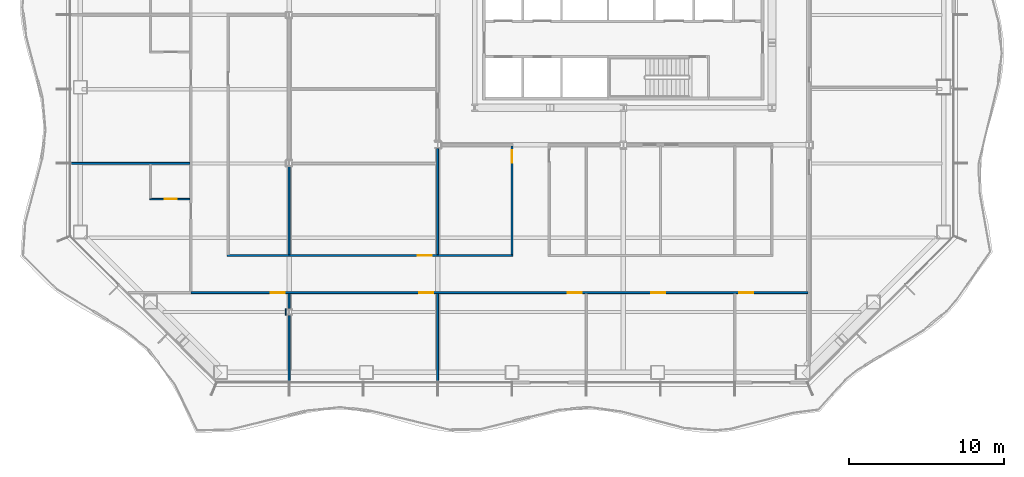
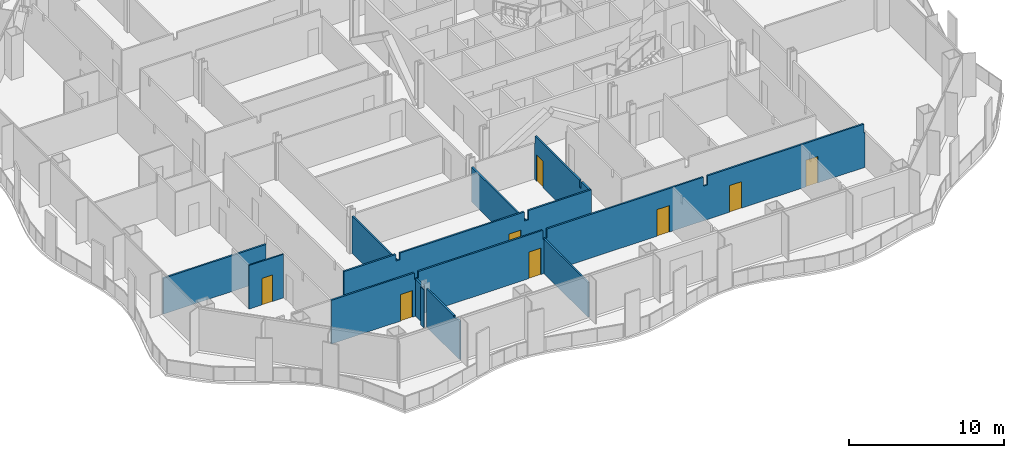
# One storey, part 6 of 17: 11 walls, 8 doors, 8 openings.
"""IFC4 building model written with IfcOpenShell, lengths in metres."""

from ifc_helpers import new_model, si_unit, direction, frame, frame_2d, origin, place, context, subcontext, project, spatial, polyline, rectangle, outline, extrude, material, layer, layer_set, type_object, element, fill, save


model = new_model("IFC4")

# Units and contexts
model_context = context("Model", 3, precision=1e-05, world=origin(), true_north=direction((0.0, 1.0)))
body_context = subcontext(model_context, "Body", "Model", "MODEL_VIEW")
ifc_project = project(units=[si_unit("LENGTHUNIT", "METRE"), si_unit("AREAUNIT", "SQUARE_METRE"), si_unit("VOLUMEUNIT", "CUBIC_METRE"), si_unit("PLANEANGLEUNIT", "RADIAN"), si_unit("MASSUNIT", "GRAM", prefix="KILO")], contexts=[model_context])

# Site, building, storey
site_placement = place(None, origin())
site = spatial("IfcSite", under=ifc_project, at=site_placement, CompositionType="ELEMENT")
building_placement = place(site_placement, origin())
building = spatial("IfcBuilding", under=site, at=building_placement, Name="Cairn Pilgrim Tower", CompositionType="ELEMENT")
storey_placement = place(building_placement, frame((0.0, 0.0, 79.800048828125)))
storey = spatial("IfcBuildingStorey", under=building, at=storey_placement, Name="L18", CompositionType="ELEMENT", Elevation=79.800048828125)

# Wall, opening, door
ifc_material_1 = material(Name="Gypsum partition")
ifc_layer_1 = layer(ifc_material_1, 0.10009765625)
ifc_layer_set_1 = layer_set([ifc_layer_1], Name="PARTITION 100 DRYWALL")
wall_type_1 = type_object("IfcWallType", Name="PARTITION 100 DRYWALL", PredefinedType="PARTITIONING", material=ifc_layer_set_1)
wall_1_placement = place(storey_placement, frame((-23.39990234375, -11.89990234375, 0.0), z_axis=(0.0, 0.0, 1.0), x_axis=(1.0, 0.0, 0.0)))
wall_1 = element("IfcWall", 1, at=wall_1_placement, inside=storey, type_object=wall_type_1, Name="PARTITION W022", PredefinedType="PARTITIONING", context=body_context, shape_type="SweptSolid", body=[
    extrude(rectangle(XDim=2.58740234375, YDim=0.10009765625, at=frame_2d((1.293701171875, 0.0))), origin(), (0.0, 0.0, 1.0), 3.449951171875),
])
opening_1_placement = place(wall_1_placement, frame((0.949951171875, 0.0, 0.0)))
opening_1 = element("IfcOpeningElement", 2, at=opening_1_placement, cuts=wall_1, Name="Opening 1806E", PredefinedType="OPENING", context=body_context, shape_type="SweptSolid", body=[
    extrude(rectangle(XDim=0.800048828125, YDim=2.10009765625, at=frame_2d((0.39990234375, 1.050048828125))), frame((0.0, 0.06005859375, 0.0), z_axis=(0.0, -1.0, 0.0), x_axis=(1.0, 0.0, 0.0)), (0.0, 0.0, 1.0), 0.1201171875),
])
ifc_material_2 = material(Name="Timber door leaf", Category="wood")
door_type_1 = type_object("IfcDoorType", Name="DOOR 800x2100", OperationType="NOTDEFINED", PredefinedType="DOOR", material=ifc_material_2)
door_1_placement = place(opening_1_placement, origin())
door_1 = element("IfcDoor", 3, at=door_1_placement, inside=storey, type_object=door_type_1, Name="DOOR 1806E", OperationType="SINGLE_SWING_RIGHT", OverallHeight=2.10009765625, OverallWidth=0.800048828125, PredefinedType="DOOR", context=body_context, shape_type="SweptSolid", body=[
    extrude(rectangle(XDim=0.800048828125, YDim=2.10009765625, at=frame_2d((0.39990234375, 1.050048828125))), frame((0.0, 0.02490234375, 0.0), z_axis=(0.0, -1.0, 0.0), x_axis=(1.0, 0.0, 0.0)), (0.0, 0.0, 1.0), 0.050048828125),
])
fill(opening_1, door_1)

# Walls
ifc_layer_2 = layer(ifc_material_1, 0.125)
ifc_layer_set_2 = layer_set([ifc_layer_2], Name="PARTITION 125 DRYWALL EI 60")
wall_type_2 = type_object("IfcWallType", Name="PARTITION 125 DRYWALL EI 60", PredefinedType="PARTITIONING", material=ifc_layer_set_2)
wall_2_placement = place(storey_placement, frame((-14.39990234375, -23.68994140625, 0.0), z_axis=(0.0, 0.0, 1.0), x_axis=(0.0, 1.0, 0.0)))
element("IfcWall", 4, at=wall_2_placement, inside=storey, type_object=wall_type_2, Name="PARTITION W001", PredefinedType="PARTITIONING", context=body_context, shape_type="SweptSolid", body=[
    extrude(outline(polyline([(0.0, 0.0), (4.27734375, 0.0), (4.277587890625, 3.030029296875), (0.739990234375, 3.030029296875), (0.738037109375, 2.929931640625), (0.43994140625, 2.929931640625), (0.43798828125, 3.030029296875), (0.0, 3.030029296875), (0.0, 0.0)])), frame((0.0, 0.0625, 0.0), z_axis=(0.0, -1.0, 0.0), x_axis=(1.0, 0.0, 0.0)), (0.0, 0.0, 1.0), 0.125),
])
wall_3_placement = place(storey_placement, frame((-4.800048828125, -23.68994140625, 0.0), z_axis=(0.0, 0.0, 1.0), x_axis=(0.0, 1.0, 0.0)))
element("IfcWall", 5, at=wall_3_placement, inside=storey, type_object=wall_type_2, Name="PARTITION W002", PredefinedType="PARTITIONING", context=body_context, shape_type="SweptSolid", body=[
    extrude(rectangle(XDim=5.677490234375, YDim=0.125, at=frame_2d((2.8388671875, 0.0))), origin(), (0.0, 0.0, 1.0), 2.72998046875),
])
wall_4_placement = place(storey_placement, frame((-14.39990234375, -18.987548828125, 0.0), z_axis=(0.0, 0.0, 1.0), x_axis=(0.0, 1.0, 0.0)))
element("IfcWall", 6, at=wall_4_placement, inside=storey, type_object=wall_type_2, Name="PARTITION W006", PredefinedType="PARTITIONING", context=body_context, shape_type="SweptSolid", body=[
    extrude(rectangle(XDim=0.97509765625, YDim=0.125, at=frame_2d((0.487548828125, 0.0))), origin(), (0.0, 0.0, 1.0), 2.929931640625),
])

# Wall, openings, doors
wall_5_placement = place(storey_placement, frame((-20.75, -17.949951171875, 0.0), z_axis=(0.0, 0.0, 1.0), x_axis=(1.0, 0.0, 0.0)))
wall_5 = element("IfcWall", 7, at=wall_5_placement, inside=storey, type_object=wall_type_2, Name="PARTITION W008", PredefinedType="PARTITIONING", context=body_context, shape_type="SweptSolid", body=[
    extrude(outline(polyline([(0.0, 0.0), (39.887451171875, 0.0), (39.887451171875, 2.72998046875), (39.800048828125, 2.72998046875), (39.798095703125, 3.449951171875), (28.10009765625, 3.449951171875), (28.097900390625, 2.72998046875), (27.800048828125, 2.72998046875), (27.798095703125, 3.449951171875), (16.10009765625, 3.449951171875), (16.097900390625, 2.72998046875), (15.800048828125, 2.72998046875), (15.798095703125, 3.449951171875), (6.5, 3.449951171875), (6.498046875, 2.929931640625), (6.199951171875, 2.929931640625), (6.197998046875, 3.449951171875), (0.0, 3.449951171875), (0.0, 0.0)])), frame((0.0, 0.0625, 0.0), z_axis=(0.0, -1.0, 0.0), x_axis=(1.0, 0.0, 0.0)), (0.0, 0.0, 1.0), 0.125),
])
opening_2_placement = place(wall_5_placement, frame((5.14990234375, 0.0, 0.0)))
opening_2 = element("IfcOpeningElement", 8, at=opening_2_placement, cuts=wall_5, Name="Opening 1801", PredefinedType="OPENING", context=body_context, shape_type="SweptSolid", body=[
    extrude(rectangle(XDim=0.89990234375, YDim=2.10009765625, at=frame_2d((0.449951171875, 1.050048828125))), frame((0.0, 0.072509765625, 0.0), z_axis=(0.0, -1.0, 0.0), x_axis=(1.0, 0.0, 0.0)), (0.0, 0.0, 1.0), 0.14501953125),
])
opening_3_placement = place(wall_5_placement, frame((14.75, 0.0, 0.0)))
opening_3 = element("IfcOpeningElement", 9, at=opening_3_placement, cuts=wall_5, Name="Opening 1802", PredefinedType="OPENING", context=body_context, shape_type="SweptSolid", body=[
    extrude(rectangle(XDim=0.89990234375, YDim=2.10009765625, at=frame_2d((0.449951171875, 1.050048828125))), frame((0.0, 0.072509765625, 0.0), z_axis=(0.0, -1.0, 0.0), x_axis=(1.0, 0.0, 0.0)), (0.0, 0.0, 1.0), 0.14501953125),
])
opening_4_placement = place(wall_5_placement, frame((24.35009765625, 0.0, 0.0)))
opening_4 = element("IfcOpeningElement", 10, at=opening_4_placement, cuts=wall_5, Name="Opening 1803", PredefinedType="OPENING", context=body_context, shape_type="SweptSolid", body=[
    extrude(rectangle(XDim=0.89990234375, YDim=2.10009765625, at=frame_2d((0.449951171875, 1.050048828125))), frame((0.0, 0.072509765625, 0.0), z_axis=(0.0, -1.0, 0.0), x_axis=(1.0, 0.0, 0.0)), (0.0, 0.0, 1.0), 0.14501953125),
])
opening_5_placement = place(wall_5_placement, frame((29.75, 0.0, 0.0)))
opening_5 = element("IfcOpeningElement", 11, at=opening_5_placement, cuts=wall_5, Name="Opening 1804", PredefinedType="OPENING", context=body_context, shape_type="SweptSolid", body=[
    extrude(rectangle(XDim=0.89990234375, YDim=2.10009765625, at=frame_2d((0.449951171875, 1.050048828125))), frame((0.0, 0.072509765625, 0.0), z_axis=(0.0, -1.0, 0.0), x_axis=(1.0, 0.0, 0.0)), (0.0, 0.0, 1.0), 0.14501953125),
])
opening_6_placement = place(wall_5_placement, frame((35.449951171875, 0.0, 0.0)))
opening_6 = element("IfcOpeningElement", 12, at=opening_6_placement, cuts=wall_5, Name="Opening 1805", PredefinedType="OPENING", context=body_context, shape_type="SweptSolid", body=[
    extrude(rectangle(XDim=0.89990234375, YDim=2.10009765625, at=frame_2d((0.449951171875, 1.050048828125))), frame((0.0, 0.072509765625, 0.0), z_axis=(0.0, -1.0, 0.0), x_axis=(1.0, 0.0, 0.0)), (0.0, 0.0, 1.0), 0.14501953125),
])
ifc_material_3 = material(Name="Steel-faced fire door leaf", Category="steel")
door_type_2 = type_object("IfcDoorType", Name="FIRE DOOR 900x2100 FD30S", OperationType="NOTDEFINED", PredefinedType="DOOR", material=ifc_material_3)
door_2_placement = place(opening_2_placement, frame((0.89990234375, 0.0, 0.0), z_axis=(0.0, 0.0, 1.0), x_axis=(-1.0, 0.0, 0.0)))
door_2 = element("IfcDoor", 13, at=door_2_placement, inside=storey, type_object=door_type_2, Name="DOOR 1801", OperationType="SINGLE_SWING_RIGHT", OverallHeight=2.10009765625, OverallWidth=0.89990234375, PredefinedType="DOOR", context=body_context, shape_type="SweptSolid", body=[
    extrude(rectangle(XDim=0.89990234375, YDim=2.10009765625, at=frame_2d((0.449951171875, 1.050048828125))), frame((0.0, 0.02490234375, 0.0), z_axis=(0.0, -1.0, 0.0), x_axis=(1.0, 0.0, 0.0)), (0.0, 0.0, 1.0), 0.050048828125),
])
fill(opening_2, door_2)
door_3_placement = place(opening_3_placement, frame((0.89990234375, 0.0, 0.0), z_axis=(0.0, 0.0, 1.0), x_axis=(-1.0, 0.0, 0.0)))
door_3 = element("IfcDoor", 14, at=door_3_placement, inside=storey, type_object=door_type_2, Name="DOOR 1802", OperationType="SINGLE_SWING_LEFT", OverallHeight=2.10009765625, OverallWidth=0.89990234375, PredefinedType="DOOR", context=body_context, shape_type="SweptSolid", body=[
    extrude(rectangle(XDim=0.89990234375, YDim=2.10009765625, at=frame_2d((0.449951171875, 1.050048828125))), frame((0.0, 0.02490234375, 0.0), z_axis=(0.0, -1.0, 0.0), x_axis=(1.0, 0.0, 0.0)), (0.0, 0.0, 1.0), 0.050048828125),
])
fill(opening_3, door_3)
door_4_placement = place(opening_4_placement, frame((0.89990234375, 0.0, 0.0), z_axis=(0.0, 0.0, 1.0), x_axis=(-1.0, 0.0, 0.0)))
door_4 = element("IfcDoor", 15, at=door_4_placement, inside=storey, type_object=door_type_2, Name="DOOR 1803", OperationType="SINGLE_SWING_RIGHT", OverallHeight=2.10009765625, OverallWidth=0.89990234375, PredefinedType="DOOR", context=body_context, shape_type="SweptSolid", body=[
    extrude(rectangle(XDim=0.89990234375, YDim=2.10009765625, at=frame_2d((0.449951171875, 1.050048828125))), frame((0.0, 0.02490234375, 0.0), z_axis=(0.0, -1.0, 0.0), x_axis=(1.0, 0.0, 0.0)), (0.0, 0.0, 1.0), 0.050048828125),
])
fill(opening_4, door_4)
door_5_placement = place(opening_5_placement, frame((0.89990234375, 0.0, 0.0), z_axis=(0.0, 0.0, 1.0), x_axis=(-1.0, 0.0, 0.0)))
door_5 = element("IfcDoor", 16, at=door_5_placement, inside=storey, type_object=door_type_2, Name="DOOR 1804", OperationType="SINGLE_SWING_LEFT", OverallHeight=2.10009765625, OverallWidth=0.89990234375, PredefinedType="DOOR", context=body_context, shape_type="SweptSolid", body=[
    extrude(rectangle(XDim=0.89990234375, YDim=2.10009765625, at=frame_2d((0.449951171875, 1.050048828125))), frame((0.0, 0.02490234375, 0.0), z_axis=(0.0, -1.0, 0.0), x_axis=(1.0, 0.0, 0.0)), (0.0, 0.0, 1.0), 0.050048828125),
])
fill(opening_5, door_5)
door_6_placement = place(opening_6_placement, frame((0.89990234375, 0.0, 0.0), z_axis=(0.0, 0.0, 1.0), x_axis=(-1.0, 0.0, 0.0)))
door_6 = element("IfcDoor", 17, at=door_6_placement, inside=storey, type_object=door_type_2, Name="DOOR 1805", OperationType="SINGLE_SWING_RIGHT", OverallHeight=2.10009765625, OverallWidth=0.89990234375, PredefinedType="DOOR", context=body_context, shape_type="SweptSolid", body=[
    extrude(rectangle(XDim=0.89990234375, YDim=2.10009765625, at=frame_2d((0.449951171875, 1.050048828125))), frame((0.0, 0.02490234375, 0.0), z_axis=(0.0, -1.0, 0.0), x_axis=(1.0, 0.0, 0.0)), (0.0, 0.0, 1.0), 0.050048828125),
])
fill(opening_6, door_6)

# Wall, opening, door
wall_6_placement = place(storey_placement, frame((-18.41259765625, -15.550048828125, 0.0), z_axis=(0.0, 0.0, 1.0), x_axis=(1.0, 0.0, 0.0)))
wall_6 = element("IfcWall", 18, at=wall_6_placement, inside=storey, type_object=wall_type_2, Name="PARTITION W011", PredefinedType="PARTITIONING", context=body_context, shape_type="SweptSolid", body=[
    extrude(outline(polyline([(0.0, 0.0), (18.47509765625, 0.0), (18.47509765625, 3.449951171875), (13.762451171875, 3.449951171875), (13.760498046875, 2.72998046875), (13.46240234375, 2.72998046875), (13.46044921875, 3.449951171875), (4.16259765625, 3.449951171875), (4.160400390625, 2.929931640625), (3.862548828125, 2.929931640625), (3.860595703125, 3.449951171875), (0.0, 3.449951171875), (0.0, 0.0)])), frame((0.0, 0.0625, 0.0), z_axis=(0.0, -1.0, 0.0), x_axis=(1.0, 0.0, 0.0)), (0.0, 0.0, 1.0), 0.125),
])
opening_7_placement = place(wall_6_placement, frame((12.3125, 0.0, 0.0)))
opening_7 = element("IfcOpeningElement", 19, at=opening_7_placement, cuts=wall_6, Name="Opening 1817", PredefinedType="OPENING", context=body_context, shape_type="SweptSolid", body=[
    extrude(rectangle(XDim=0.89990234375, YDim=2.10009765625, at=frame_2d((0.449951171875, 1.050048828125))), frame((0.0, 0.072509765625, 0.0), z_axis=(0.0, -1.0, 0.0), x_axis=(1.0, 0.0, 0.0)), (0.0, 0.0, 1.0), 0.14501953125),
])
door_7_placement = place(opening_7_placement, origin())
door_7 = element("IfcDoor", 20, at=door_7_placement, inside=storey, type_object=door_type_2, Name="DOOR 1817", OperationType="SINGLE_SWING_RIGHT", OverallHeight=2.10009765625, OverallWidth=0.89990234375, PredefinedType="DOOR", context=body_context, shape_type="SweptSolid", body=[
    extrude(rectangle(XDim=0.89990234375, YDim=2.10009765625, at=frame_2d((0.449951171875, 1.050048828125))), frame((0.0, 0.02490234375, 0.0), z_axis=(0.0, -1.0, 0.0), x_axis=(1.0, 0.0, 0.0)), (0.0, 0.0, 1.0), 0.050048828125),
])
fill(opening_7, door_7)

# Walls
wall_7_placement = place(storey_placement, frame((-14.39990234375, -15.487548828125, 0.0), z_axis=(0.0, 0.0, 1.0), x_axis=(0.0, 1.0, 0.0)))
element("IfcWall", 21, at=wall_7_placement, inside=storey, type_object=wall_type_2, Name="PARTITION W014", PredefinedType="PARTITIONING", context=body_context, shape_type="SweptSolid", body=[
    extrude(rectangle(XDim=5.675048828125, YDim=0.125, at=frame_2d((2.83740234375, 0.0))), origin(), (0.0, 0.0, 1.0), 2.929931640625),
])
wall_8_placement = place(storey_placement, frame((-4.800048828125, -15.487548828125, 0.0), z_axis=(0.0, 0.0, 1.0), x_axis=(0.0, 1.0, 0.0)))
element("IfcWall", 22, at=wall_8_placement, inside=storey, type_object=wall_type_2, Name="PARTITION W015", PredefinedType="PARTITIONING", context=body_context, shape_type="SweptSolid", body=[
    extrude(rectangle(XDim=6.8505859375, YDim=0.125, at=frame_2d((3.42529296875, 0.0))), origin(), (0.0, 0.0, 1.0), 2.72998046875),
])

# Wall, opening, door
wall_9_placement = place(storey_placement, frame((0.0, -15.487548828125, 0.0), z_axis=(0.0, 0.0, 1.0), x_axis=(0.0, 1.0, 0.0)))
wall_9 = element("IfcWall", 23, at=wall_9_placement, inside=storey, type_object=wall_type_2, Name="PARTITION W016", PredefinedType="PARTITIONING", context=body_context, shape_type="SweptSolid", body=[
    extrude(outline(polyline([(0.0, 0.0), (7.025146484375, 0.0), (7.02490234375, 2.829833984375), (6.9375, 2.829833984375), (6.935546875, 3.449951171875), (1.1923828125, 3.449951171875), (1.1904296875, 2.8798828125), (0.982421875, 2.8798828125), (0.98046875, 3.449951171875), (0.0, 3.449951171875), (0.0, 0.0)])), frame((0.0, 0.0625, 0.0), z_axis=(0.0, -1.0, 0.0), x_axis=(1.0, 0.0, 0.0)), (0.0, 0.0, 1.0), 0.125),
])
opening_8_placement = place(wall_9_placement, frame((5.9375, 0.0, 0.0)))
opening_8 = element("IfcOpeningElement", 24, at=opening_8_placement, cuts=wall_9, Name="Opening 1824", PredefinedType="OPENING", context=body_context, shape_type="SweptSolid", body=[
    extrude(rectangle(XDim=0.800048828125, YDim=2.10009765625, at=frame_2d((0.39990234375, 1.050048828125))), frame((0.0, 0.072509765625, 0.0), z_axis=(0.0, -1.0, 0.0), x_axis=(1.0, 0.0, 0.0)), (0.0, 0.0, 1.0), 0.14501953125),
])
door_type_3 = type_object("IfcDoorType", Name="FIRE DOOR 800x2100 FD30S", OperationType="NOTDEFINED", PredefinedType="DOOR", material=ifc_material_3)
door_8_placement = place(opening_8_placement, origin())
door_8 = element("IfcDoor", 25, at=door_8_placement, inside=storey, type_object=door_type_3, Name="DOOR 1824", OperationType="SINGLE_SWING_LEFT", OverallHeight=2.10009765625, OverallWidth=0.800048828125, PredefinedType="DOOR", context=body_context, shape_type="SweptSolid", body=[
    extrude(rectangle(XDim=0.800048828125, YDim=2.10009765625, at=frame_2d((0.39990234375, 1.050048828125))), frame((0.0, 0.02490234375, 0.0), z_axis=(0.0, -1.0, 0.0), x_axis=(1.0, 0.0, 0.0)), (0.0, 0.0, 1.0), 0.050048828125),
])
fill(opening_8, door_8)

# Walls
wall_10_placement = place(storey_placement, frame((-28.489990234375, -9.60009765625, 0.0), z_axis=(0.0, 0.0, 1.0), x_axis=(1.0, 0.0, 0.0)))
element("IfcWall", 26, at=wall_10_placement, inside=storey, type_object=wall_type_2, Name="PARTITION W024", PredefinedType="PARTITIONING", context=body_context, shape_type="SweptSolid", body=[
    extrude(rectangle(XDim=7.677490234375, YDim=0.125, at=frame_2d((3.8388671875, 0.0))), origin(), (0.0, 0.0, 1.0), 2.829833984375),
])
ifc_layer_3 = layer(ifc_material_1, 0.050048828125)
ifc_layer_set_3 = layer_set([ifc_layer_3], Name="PARTITION 50 DRYWALL EI 60")
wall_type_3 = type_object("IfcWallType", Name="PARTITION 50 DRYWALL EI 60", PredefinedType="PARTITIONING", material=ifc_layer_set_3)
wall_11_placement = place(storey_placement, frame((-14.62939453125, -19.41259765625, 0.0), z_axis=(0.0, 0.0, 1.0), x_axis=(0.0, 1.0, 0.0)))
element("IfcWall", 27, at=wall_11_placement, inside=storey, type_object=wall_type_3, Name="COLUMN CASING WC01", PredefinedType="PARTITIONING", context=body_context, shape_type="SweptSolid", body=[
    extrude(rectangle(XDim=0.425048828125, YDim=0.050048828125, at=frame_2d((0.21240234375, 0.0))), origin(), (0.0, 0.0, 1.0), 2.97998046875),
])

save(model, "model.ifc")
